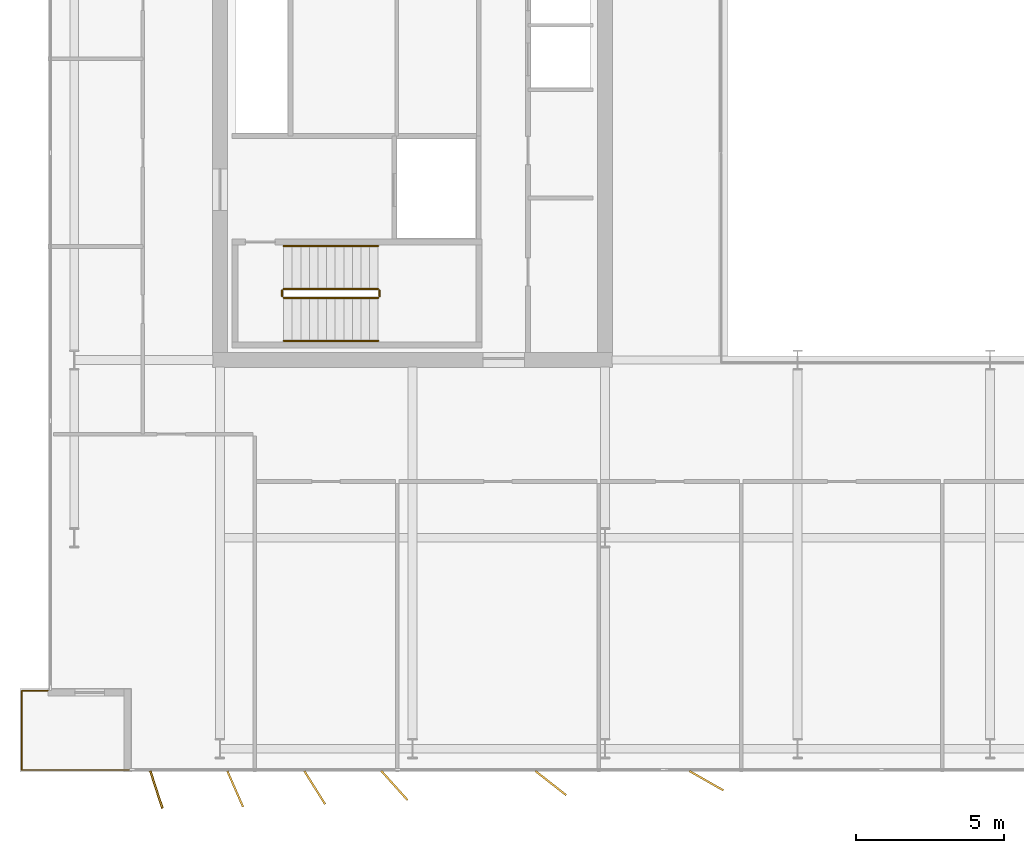
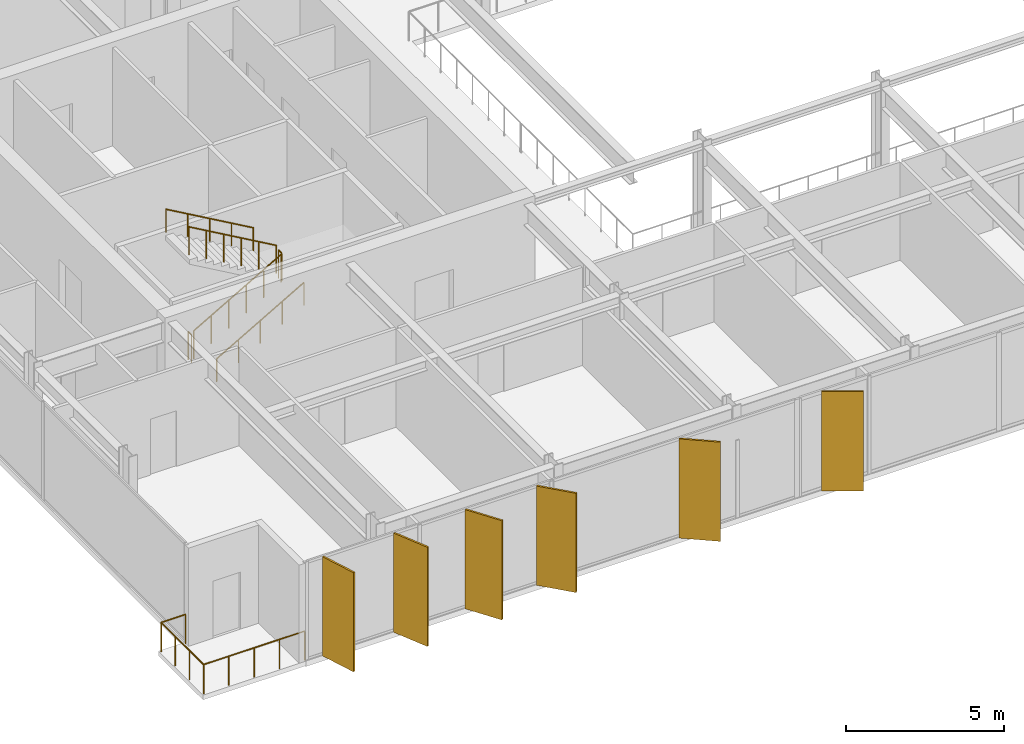
# One storey, part 17 of 20: 7 railings, 6 shading devices.
"""IFC4 building model written with IfcOpenShell, lengths in metres."""

from ifc_helpers import new_model, si_unit, direction, frame, origin, origin_2d, place, context, subcontext, project, spatial, rectangle, circle, extrude, material, layer, layer_set, type_object, element, save


model = new_model("IFC4")

# Units and contexts
model_context = context("Model", 3, precision=1e-05, world=origin(), true_north=direction((0.0, 1.0)))
body_context = subcontext(model_context, "Body", "Model", "MODEL_VIEW")
ifc_project = project(units=[si_unit("LENGTHUNIT", "METRE"), si_unit("AREAUNIT", "SQUARE_METRE"), si_unit("VOLUMEUNIT", "CUBIC_METRE"), si_unit("PLANEANGLEUNIT", "RADIAN"), si_unit("MASSUNIT", "GRAM", prefix="KILO")], contexts=[model_context])

# Site, building, storey
site_placement = place(None, origin())
site = spatial("IfcSite", under=ifc_project, at=site_placement, CompositionType="ELEMENT")
building_placement = place(site_placement, origin())
building = spatial("IfcBuilding", under=site, at=building_placement, Name="Putna Gate Headquarters", CompositionType="ELEMENT")
storey_placement = place(building_placement, frame((0.0, 0.0, 294.39990234375)))
storey = spatial("IfcBuildingStorey", under=building, at=storey_placement, Name="L74", CompositionType="ELEMENT", Elevation=294.39990234375)

# Railings
ifc_material_1 = material(Name="Powder-coated steel stair guardrail", Category="steel")
railing_type_1 = type_object("IfcRailingType", Name="RAIL-STAIR-GUARD-1100", PredefinedType="GUARDRAIL", material=ifc_material_1)
railing_1_placement = place(storey_placement, frame((15.14990234375, 21.10009765625, 0.166748046875)))
element("IfcRailing", 1, at=railing_1_placement, inside=storey, type_object=railing_type_1, Name="L74 ST1 stair guard 1", PredefinedType="GUARDRAIL", context=body_context, shape_type="SweptSolid", body=[
    extrude(circle(Radius=0.02392578125, at=origin_2d()), frame((0.0, 0.0, 1.076171875), z_axis=(0.8670360191, 0.0, 0.498245463184), x_axis=(0.0, 1.0, 0.0)), (0.0, 0.0, 1.0), 3.679443359375),
    extrude(circle(Radius=0.02099609375, at=origin_2d()), origin(), (0.0, 0.0, 1.0), 1.052001953125),
    extrude(circle(Radius=0.02099609375, at=origin_2d()), frame((0.637939453125, 0.0, 0.36669921875)), (0.0, 0.0, 1.0), 1.052001953125),
    extrude(circle(Radius=0.02099609375, at=origin_2d()), frame((1.276123046875, 0.0, 0.7333984375)), (0.0, 0.0, 1.0), 1.052001953125),
    extrude(circle(Radius=0.02099609375, at=origin_2d()), frame((1.9140625, 0.0, 1.099853515625)), (0.0, 0.0, 1.0), 1.052001953125),
    extrude(circle(Radius=0.02099609375, at=origin_2d()), frame((2.55224609375, 0.0, 1.466552734375)), (0.0, 0.0, 1.0), 1.052001953125),
    extrude(circle(Radius=0.02099609375, at=origin_2d()), frame((3.190185546875, 0.0, 1.833251953125)), (0.0, 0.0, 1.0), 1.052001953125),
])
railing_2_placement = place(storey_placement, frame((18.389892578125, 21.14990234375, 2.0)))
element("IfcRailing", 2, at=railing_2_placement, inside=storey, type_object=railing_type_1, Name="L74 ST1 stair guard 2", PredefinedType="GUARDRAIL", context=body_context, shape_type="SweptSolid", body=[
    extrude(circle(Radius=0.02392578125, at=origin_2d()), frame((0.0, 0.0, 1.076171875), z_axis=(0.0, 1.0, 0.0), x_axis=(-1.0, 0.0, 0.0)), (0.0, 0.0, 1.0), 0.2001953125),
    extrude(circle(Radius=0.02099609375, at=origin_2d()), origin(), (0.0, 0.0, 1.0), 1.052001953125),
    extrude(circle(Radius=0.02099609375, at=origin_2d()), frame((0.0, 0.2001953125, 0.0)), (0.0, 0.0, 1.0), 1.052001953125),
])
railing_3_placement = place(storey_placement, frame((18.340087890625, 21.39990234375, 2.166748046875)))
element("IfcRailing", 3, at=railing_3_placement, inside=storey, type_object=railing_type_1, Name="L74 ST1 stair guard 3", PredefinedType="GUARDRAIL", context=body_context, shape_type="SweptSolid", body=[
    extrude(circle(Radius=0.02392578125, at=origin_2d()), frame((0.0, 0.0, 1.076171875), z_axis=(-0.8670360191, 0.0, 0.498245463184), x_axis=(0.0, -1.0, 0.0)), (0.0, 0.0, 1.0), 3.679443359375),
    extrude(circle(Radius=0.02099609375, at=origin_2d()), origin(), (0.0, 0.0, 1.0), 1.052001953125),
    extrude(circle(Radius=0.02099609375, at=origin_2d()), frame((-0.637939453125, 0.0, 0.36669921875)), (0.0, 0.0, 1.0), 1.052001953125),
    extrude(circle(Radius=0.02099609375, at=origin_2d()), frame((-1.276123046875, 0.0, 0.7333984375)), (0.0, 0.0, 1.0), 1.052001953125),
    extrude(circle(Radius=0.02099609375, at=origin_2d()), frame((-1.9140625, 0.0, 1.099853515625)), (0.0, 0.0, 1.0), 1.052001953125),
    extrude(circle(Radius=0.02099609375, at=origin_2d()), frame((-2.55224609375, 0.0, 1.466552734375)), (0.0, 0.0, 1.0), 1.052001953125),
    extrude(circle(Radius=0.02099609375, at=origin_2d()), frame((-3.190185546875, 0.0, 1.833251953125)), (0.0, 0.0, 1.0), 1.052001953125),
])
railing_4_placement = place(storey_placement, frame((15.10009765625, 21.14990234375, 0.0)))
element("IfcRailing", 4, at=railing_4_placement, inside=storey, type_object=railing_type_1, Name="L74 ST1 stair guard 4", PredefinedType="GUARDRAIL", context=body_context, shape_type="SweptSolid", body=[
    extrude(circle(Radius=0.02392578125, at=origin_2d()), frame((0.0, 0.0, 1.076171875), z_axis=(0.0, 1.0, 0.0), x_axis=(-1.0, 0.0, 0.0)), (0.0, 0.0, 1.0), 0.2001953125),
    extrude(circle(Radius=0.02099609375, at=origin_2d()), origin(), (0.0, 0.0, 1.0), 1.052001953125),
    extrude(circle(Radius=0.02099609375, at=origin_2d()), frame((0.0, 0.2001953125, 0.0)), (0.0, 0.0, 1.0), 1.052001953125),
])
ifc_material_2 = material(Name="Brushed stainless steel handrail", Category="steel")
railing_type_2 = type_object("IfcRailingType", Name="RAIL-STAIR-HAND-900", PredefinedType="HANDRAIL", material=ifc_material_2)
railing_5_placement = place(storey_placement, frame((15.14990234375, 19.64990234375, 0.166748046875)))
element("IfcRailing", 5, at=railing_5_placement, inside=storey, type_object=railing_type_2, Name="L74 ST1 stair handrail 1", PredefinedType="HANDRAIL", context=body_context, shape_type="SweptSolid", body=[
    extrude(circle(Radius=0.02392578125, at=origin_2d()), frame((0.0, 0.0, 0.8759765625), z_axis=(0.8670360191, 0.0, 0.498245463184), x_axis=(0.0, 1.0, 0.0)), (0.0, 0.0, 1.0), 3.679443359375),
    extrude(circle(Radius=0.02099609375, at=origin_2d()), origin(), (0.0, 0.0, 1.0), 0.851806640625),
    extrude(circle(Radius=0.02099609375, at=origin_2d()), frame((0.797607421875, 0.0, 0.458251953125)), (0.0, 0.0, 1.0), 0.851806640625),
    extrude(circle(Radius=0.02099609375, at=origin_2d()), frame((1.59521484375, 0.0, 0.91650390625)), (0.0, 0.0, 1.0), 0.851806640625),
    extrude(circle(Radius=0.02099609375, at=origin_2d()), frame((2.392578125, 0.0, 1.375)), (0.0, 0.0, 1.0), 0.851806640625),
    extrude(circle(Radius=0.02099609375, at=origin_2d()), frame((3.190185546875, 0.0, 1.833251953125)), (0.0, 0.0, 1.0), 0.851806640625),
])
railing_6_placement = place(storey_placement, frame((18.340087890625, 22.85009765625, 2.166748046875)))
element("IfcRailing", 6, at=railing_6_placement, inside=storey, type_object=railing_type_2, Name="L74 ST1 stair handrail 2", PredefinedType="HANDRAIL", context=body_context, shape_type="SweptSolid", body=[
    extrude(circle(Radius=0.02392578125, at=origin_2d()), frame((0.0, 0.0, 0.8759765625), z_axis=(-0.8670360191, 0.0, 0.498245463184), x_axis=(0.0, -1.0, 0.0)), (0.0, 0.0, 1.0), 3.679443359375),
    extrude(circle(Radius=0.02099609375, at=origin_2d()), origin(), (0.0, 0.0, 1.0), 0.851806640625),
    extrude(circle(Radius=0.02099609375, at=origin_2d()), frame((-0.797607421875, 0.0, 0.458251953125)), (0.0, 0.0, 1.0), 0.851806640625),
    extrude(circle(Radius=0.02099609375, at=origin_2d()), frame((-1.59521484375, 0.0, 0.91650390625)), (0.0, 0.0, 1.0), 0.851806640625),
    extrude(circle(Radius=0.02099609375, at=origin_2d()), frame((-2.392578125, 0.0, 1.375)), (0.0, 0.0, 1.0), 0.851806640625),
    extrude(circle(Radius=0.02099609375, at=origin_2d()), frame((-3.190185546875, 0.0, 1.833251953125)), (0.0, 0.0, 1.0), 0.851806640625),
])
ifc_material_3 = material(Name="Anodised bronze steel and laminated glass guardrail", Category="steel")
railing_type_3 = type_object("IfcRailingType", Name="RAIL-TERR-GUARD-1150", PredefinedType="GUARDRAIL", material=ifc_material_3)
railing_7_placement = place(storey_placement, frame((10.0, 5.159912109375, 0.0)))
element("IfcRailing", 7, at=railing_7_placement, inside=storey, type_object=railing_type_3, Name="L74 Spiral Sky Terrace Guardrail SW", PredefinedType="GUARDRAIL", context=body_context, shape_type="SweptSolid", body=[
    extrude(circle(Radius=0.02392578125, at=origin_2d()), frame((0.0, 0.0, 1.1259765625), z_axis=(-1.0, 0.0, 0.0), x_axis=(0.0, -1.0, 0.0)), (0.0, 0.0, 1.0), 3.68994140625),
    extrude(circle(Radius=0.02392578125, at=origin_2d()), frame((-3.68994140625, 0.0, 1.1259765625), z_axis=(0.0, 1.0, 0.0), x_axis=(-1.0, 0.0, 0.0)), (0.0, 0.0, 1.0), 2.68017578125),
    extrude(circle(Radius=0.02392578125, at=origin_2d()), frame((-3.68994140625, 2.68017578125, 1.1259765625), z_axis=(1.0, 0.0, 0.0), x_axis=(0.0, 1.0, 0.0)), (0.0, 0.0, 1.0), 0.889892578125),
    extrude(circle(Radius=0.02099609375, at=origin_2d()), origin(), (0.0, 0.0, 1.0), 1.101806640625),
    extrude(circle(Radius=0.02099609375, at=origin_2d()), frame((-0.92236328125, 0.0, 0.0)), (0.0, 0.0, 1.0), 1.101806640625),
    extrude(circle(Radius=0.02099609375, at=origin_2d()), frame((-1.844970703125, 0.0, 0.0)), (0.0, 0.0, 1.0), 1.101806640625),
    extrude(circle(Radius=0.02099609375, at=origin_2d()), frame((-2.767578125, 0.0, 0.0)), (0.0, 0.0, 1.0), 1.101806640625),
    extrude(circle(Radius=0.02099609375, at=origin_2d()), frame((-3.68994140625, 0.0, 0.0)), (0.0, 0.0, 1.0), 1.101806640625),
    extrude(circle(Radius=0.02099609375, at=origin_2d()), frame((-3.68994140625, 0.893310546875, 0.0)), (0.0, 0.0, 1.0), 1.101806640625),
    extrude(circle(Radius=0.02099609375, at=origin_2d()), frame((-3.68994140625, 1.786865234375, 0.0)), (0.0, 0.0, 1.0), 1.101806640625),
    extrude(circle(Radius=0.02099609375, at=origin_2d()), frame((-3.68994140625, 2.68017578125, 0.0)), (0.0, 0.0, 1.0), 1.101806640625),
    extrude(circle(Radius=0.02099609375, at=origin_2d()), frame((-2.800048828125, 2.68017578125, 0.0)), (0.0, 0.0, 1.0), 1.101806640625),
])

# Shading devices
ifc_material_4 = material(Name="Anodised architectural bronze aluminium fin", Category="aluminium")
ifc_layer = layer(ifc_material_4, 0.06494140625)
ifc_layer_set = layer_set([ifc_layer], Name="Anodised architectural bronze aluminium fin")
shading_device_type = type_object("IfcShadingDeviceType", Name="SHADE-BRONZE-FIN-1320", PredefinedType="USERDEFINED", material=ifc_layer_set)
for number, where, z_axis, x_axis, name in (
    (8, (10.853759765625, 4.497314453125, -0.02001953125), (0.0, 0.0, 1.0), (0.308684994204, -0.951164325631, 0.0), "L74 Bronze Vertical Shading Fin S1"),
    (9, (13.514404296875, 4.520263671875, -0.02001953125), (0.0, 0.0, 1.0), (0.400668879095, -0.916222925562, 0.0), "L74 Bronze Vertical Shading Fin S2"),
    (10, (16.2001953125, 4.565673828125, -0.02001953125), (0.0, 0.0, 1.0), (0.530659123936, -0.847585331506, 0.0), "L74 Bronze Vertical Shading Fin S3"),
    (11, (18.8916015625, 4.634521484375, -0.02001953125), (0.0, 0.0, 1.0), (0.669130606359, -0.743144825477, 0.0), "L74 Bronze Vertical Shading Fin S4"),
    (12, (24.169677734375, 4.71826171875, -0.02001953125), (0.0, 0.0, 1.0), (0.787473187632, -0.616348909921, 0.0), "L74 Bronze Vertical Shading Fin S5"),
    (13, (29.423828125, 4.798828125, -0.02001953125), (0.0, 0.0, 1.0), (0.869322458298, -0.494245347472, 0.0), "L74 Bronze Vertical Shading Fin S6"),
):
    element("IfcShadingDevice", number, at=place(storey_placement, frame(where, z_axis=z_axis, x_axis=x_axis)), inside=storey, type_object=shading_device_type, Name=name, ObjectType="FIN", PredefinedType="USERDEFINED", context=body_context, shape_type="SweptSolid", body=[
        extrude(rectangle(XDim=1.320068359375, YDim=0.06494140625, at=origin_2d()), origin(), (0.0, 0.0, 1.0), 3.827880859375),
    ])

save(model, "model.ifc")
